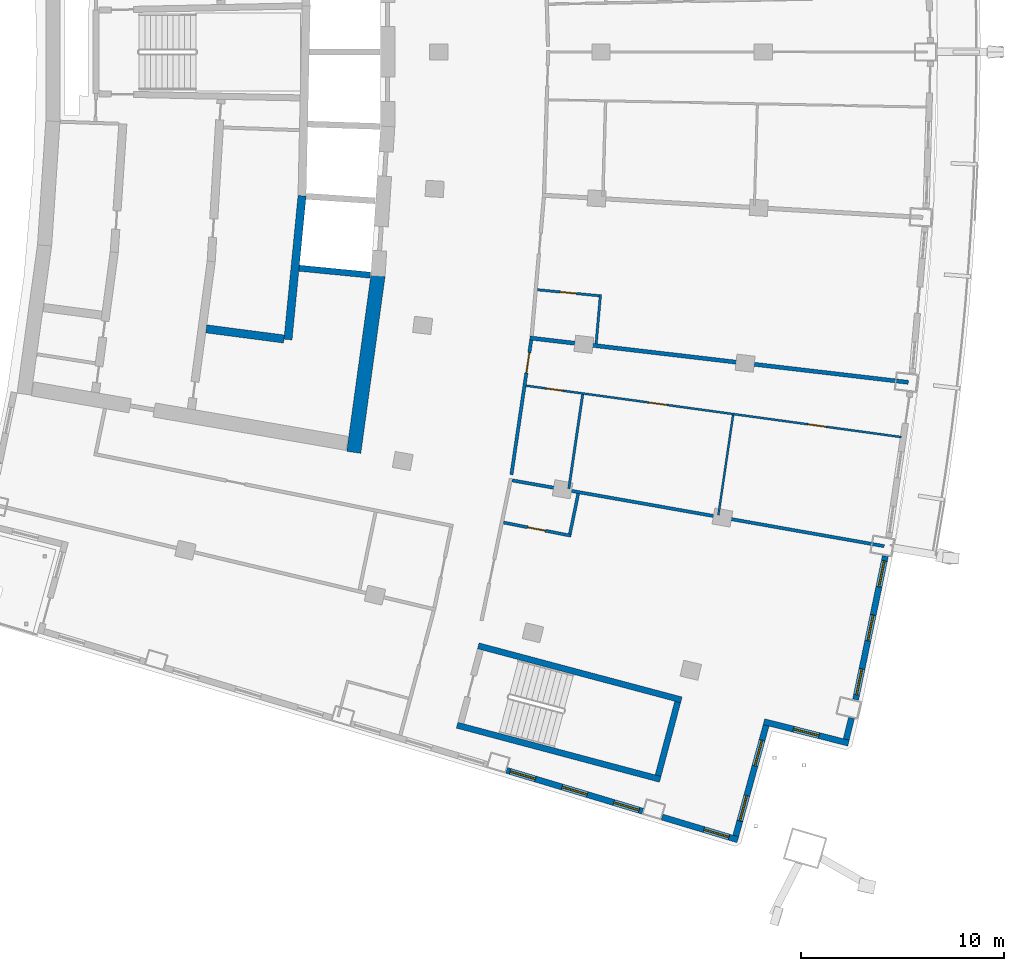
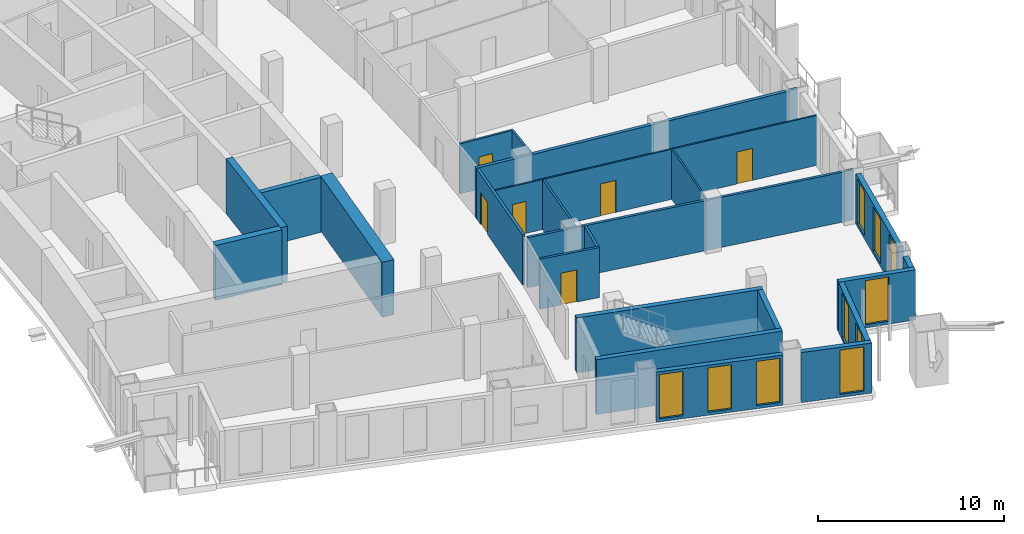
# One storey, part 12 of 22: 23 walls, 10 windows, 6 doors, 16 openings.
"""IFC4 building model written with IfcOpenShell, lengths in metres."""

from ifc_helpers import new_model, si_unit, direction, frame, frame_2d, origin, place, context, subcontext, project, spatial, rectangle, extrude, material, layer, layer_set, type_object, element, fill, save


model = new_model("IFC4")

# Units and contexts
model_context = context("Model", 3, precision=1e-05, world=origin(), true_north=direction((0.0, 1.0)))
body_context = subcontext(model_context, "Body", "Model", "MODEL_VIEW")
ifc_project = project(units=[si_unit("LENGTHUNIT", "METRE"), si_unit("AREAUNIT", "SQUARE_METRE"), si_unit("VOLUMEUNIT", "CUBIC_METRE"), si_unit("PLANEANGLEUNIT", "RADIAN"), si_unit("MASSUNIT", "GRAM", prefix="KILO")], contexts=[model_context])

# Site, building, storey
site_placement = place(None, origin())
site = spatial("IfcSite", under=ifc_project, at=site_placement, CompositionType="ELEMENT")
building_placement = place(site_placement, origin())
building = spatial("IfcBuilding", under=site, at=building_placement, Name="Alderwake Tower", CompositionType="ELEMENT")
storey_placement = place(building_placement, frame((0.0, 0.0, 156.800048828125)))
storey = spatial("IfcBuildingStorey", under=building, at=storey_placement, Name="L38", CompositionType="ELEMENT", Elevation=156.800048828125)

# Walls
ifc_material_1 = material(Name="Concrete C70/85", Category="concrete")
ifc_layer_1 = layer(ifc_material_1, 0.699951171875)
ifc_layer_set_1 = layer_set([ifc_layer_1], Name="Core wall outer 700 C70-85")
wall_type_1 = type_object("IfcWallType", Name="Core wall outer 700 C70-85", PredefinedType="SHEAR", material=ifc_layer_set_1)
wall_1_placement = place(storey_placement, frame((31.618896484375, 41.264892578125, 0.0), z_axis=(0.0, 0.0, 1.0), x_axis=(0.135835706655, 0.99073137671, 0.0)))
element("IfcWall", 1, at=wall_1_placement, inside=storey, type_object=wall_type_1, Name="Core wall CW.012", PredefinedType="SHEAR", context=body_context, shape_type="SweptSolid", body=[
    extrude(rectangle(XDim=8.790771484375, YDim=0.699951171875, at=frame_2d((4.3955078125, 0.0))), origin(), (0.0, 0.0, 1.0), 3.599853515625),
])
ifc_material_2 = material(Name="Concrete C70/85", Category="concrete")
ifc_layer_2 = layer(ifc_material_2, 0.300048828125)
ifc_layer_set_2 = layer_set([ifc_layer_2], Name="Core wall shaft 300 C70-85")
wall_type_2 = type_object("IfcWallType", Name="Core wall shaft 300 C70-85", PredefinedType="SHEAR", material=ifc_layer_set_2)
wall_2_placement = place(storey_placement, frame((28.922119140625, 50.341796875, 0.0), z_axis=(0.0, 0.0, 1.0), x_axis=(0.995247351008, -0.097379208823, 0.0)))
element("IfcWall", 2, at=wall_2_placement, inside=storey, type_object=wall_type_2, Name="Core wall CW.064", PredefinedType="SHEAR", context=body_context, shape_type="SweptSolid", body=[
    extrude(rectangle(XDim=3.527587890625, YDim=0.300048828125, at=frame_2d((1.763671875, 0.0))), origin(), (0.0, 0.0, 1.0), 3.599853515625),
])
ifc_material_3 = material(Name="Concrete C70/85", Category="concrete")
ifc_layer_3 = layer(ifc_material_3, 0.39990234375)
ifc_layer_set_3 = layer_set([ifc_layer_3], Name="Core wall spine 400 C70-85")
wall_type_3 = type_object("IfcWallType", Name="Core wall spine 400 C70-85", PredefinedType="SHEAR", material=ifc_layer_set_3)
wall_3_placement = place(storey_placement, frame((28.376953125, 46.8251953125, 0.0), z_axis=(0.0, 0.0, 1.0), x_axis=(0.097393469943, 0.995245955537, 0.0)))
element("IfcWall", 3, at=wall_3_placement, inside=storey, type_object=wall_type_3, Name="Core wall CW.005", PredefinedType="SHEAR", context=body_context, shape_type="SweptSolid", body=[
    extrude(rectangle(XDim=7.1142578125, YDim=0.39990234375, at=frame_2d((3.55712890625, 0.0))), origin(), (0.0, 0.0, 1.0), 3.599853515625),
])
wall_4_placement = place(storey_placement, frame((24.347900390625, 47.35205078125, 0.0), z_axis=(0.0, 0.0, 1.0), x_axis=(0.991555950624, -0.129679592778, 0.0)))
element("IfcWall", 4, at=wall_4_placement, inside=storey, type_object=wall_type_3, Name="Core wall CW.069", PredefinedType="SHEAR", context=body_context, shape_type="SweptSolid", body=[
    extrude(rectangle(XDim=3.86328125, YDim=0.39990234375, at=frame_2d((1.931640625, 0.0))), origin(), (0.0, 0.0, 1.0), 3.599853515625),
])
ifc_material_4 = material(Name="Concrete C70/85", Category="concrete")
ifc_layer_4 = layer(ifc_material_4, 0.300048828125)
ifc_layer_set_4 = layer_set([ifc_layer_4], Name="Core wall stair enclosure 300 C70-85")
wall_type_4 = type_object("IfcWallType", Name="Core wall stair enclosure 300 C70-85", PredefinedType="SHEAR", material=ifc_layer_set_4)
for number, where, z_axis, x_axis, name in (
    (5, (37.75390625, 31.731201171875, 0.0), (0.0, 0.0, 1.0), (0.966309214305, -0.257383958996, 0.0), "Core wall CW.086"),
    (6, (36.71142578125, 27.817626953125, 0.0), (0.0, 0.0, 1.0), (0.966309214305, -0.257383958996, 0.0), "Core wall CW.088"),
):
    element("IfcWall", number, at=place(storey_placement, frame(where, z_axis=z_axis, x_axis=x_axis)), inside=storey, type_object=wall_type_4, Name=name, PredefinedType="SHEAR", context=body_context, shape_type="SweptSolid", body=[
        extrude(rectangle(XDim=10.360107421875, YDim=0.300048828125, at=frame_2d((5.18017578125, 0.0))), origin(), (0.0, 0.0, 1.0), 3.599853515625),
    ])
wall_5_placement = place(storey_placement, frame((46.6162109375, 25.334716796875, 0.0), z_axis=(0.0, 0.0, 1.0), x_axis=(0.257366821694, 0.966313778796, 0.0)))
element("IfcWall", 7, at=wall_5_placement, inside=storey, type_object=wall_type_4, Name="Core wall CW.085", PredefinedType="SHEAR", context=body_context, shape_type="SweptSolid", body=[
    extrude(rectangle(XDim=3.749755859375, YDim=0.300048828125, at=frame_2d((1.875, 0.0))), origin(), (0.0, 0.0, 1.0), 3.599853515625),
])

# Wall, opening, door
ifc_material_5 = material(Name="Gypsum board on metal studs, rated")
ifc_layer_5 = layer(ifc_material_5, 0.159912109375)
ifc_layer_set_5 = layer_set([ifc_layer_5], Name="Corridor wall 160")
wall_type_5 = type_object("IfcWallType", Name="Corridor wall 160", PredefinedType="PARTITIONING", material=ifc_layer_set_5)
wall_6_placement = place(storey_placement, frame((40.3623046875, 46.7939453125, 0.0), z_axis=(0.0, 0.0, 1.0), x_axis=(-0.145513909196, -0.989356205939, 0.0)))
wall_6 = element("IfcWall", 8, at=wall_6_placement, inside=storey, type_object=wall_type_5, Name="WL/L38/W22", PredefinedType="PARTITIONING", context=body_context, shape_type="SweptSolid", body=[
    extrude(rectangle(XDim=6.704345703125, YDim=0.159912109375, at=frame_2d((3.35205078125, 0.0))), origin(), (0.0, 0.0, 1.0), 3.280029296875),
])
opening_1_placement = place(wall_6_placement, frame((0.628662109375, 0.0, 0.0)))
opening_1 = element("IfcOpeningElement", 9, at=opening_1_placement, cuts=wall_6, Name="Opening R10-U03.2", PredefinedType="OPENING", context=body_context, shape_type="SweptSolid", body=[
    extrude(rectangle(XDim=1.0, YDim=2.10009765625, at=frame_2d((0.5, 1.050048828125))), frame((0.0, 0.08984375, 0.0), z_axis=(0.0, -1.0, 0.0), x_axis=(1.0, 0.0, 0.0)), (0.0, 0.0, 1.0), 0.179931640625),
])
ifc_material_6 = material(Name="Solid timber leaf in steel frame", Category="steel")
door_type_1 = type_object("IfcDoorType", Name="Flat entrance door 1000 fire-rated", OperationType="SINGLE_SWING_LEFT", PredefinedType="DOOR", material=ifc_material_6)
door_1_placement = place(opening_1_placement, origin())
door_1 = element("IfcDoor", 10, at=door_1_placement, inside=storey, type_object=door_type_1, Name="DR/L38/U03.2", OperationType="SINGLE_SWING_LEFT", OverallHeight=2.10009765625, OverallWidth=1.0, PredefinedType="DOOR", context=body_context, shape_type="SweptSolid", body=[
    extrude(rectangle(XDim=1.0, YDim=2.10009765625, at=frame_2d((0.5, 1.050048828125))), frame((0.0, 0.02490234375, 0.0), z_axis=(0.0, -1.0, 0.0), x_axis=(1.0, 0.0, 0.0)), (0.0, 0.0, 1.0), 0.050048828125),
])
fill(opening_1, door_1)

# Walls
wall_7_placement = place(storey_placement, frame((57.761962890625, 36.64208984375, 0.0), z_axis=(0.0, 0.0, 1.0), x_axis=(-0.984734415002, 0.174063585826, 0.0)))
element("IfcWall", 11, at=wall_7_placement, inside=storey, type_object=wall_type_5, Name="WL/L38/W29", PredefinedType="PARTITIONING", context=body_context, shape_type="SweptSolid", body=[
    extrude(rectangle(XDim=18.619384765625, YDim=0.159912109375, at=frame_2d((9.3095703125, 0.0))), origin(), (0.0, 0.0, 1.0), 3.280029296875),
])
ifc_material_7 = material(Name="Precast concrete C50/60 spandrel panel", Category="concrete")
ifc_layer_6 = layer(ifc_material_7, 0.300048828125)
ifc_layer_set_6 = layer_set([ifc_layer_6], Name="External wall EW1 Precast concrete C50/60 spandrel")
wall_type_6 = type_object("IfcWallType", Name="External wall EW1 Precast concrete C50/60 spandrel", PredefinedType="SOLIDWALL", material=ifc_layer_set_6)
wall_8_placement = place(storey_placement, frame((55.88720703125, 27.119384765625, 0.0), z_axis=(0.0, 0.0, 1.0), x_axis=(0.238145557197, 0.971229475246, 0.0)))
element("IfcWall", 12, at=wall_8_placement, inside=storey, type_object=wall_type_6, Name="External wall 11", PredefinedType="SOLIDWALL", context=body_context, shape_type="SweptSolid", body=[
    extrude(rectangle(XDim=1.086669921875, YDim=0.300048828125, at=frame_2d((0.54345703125, 0.0))), origin(), (0.0, 0.0, 1.0), 3.280029296875),
])

# Wall, openings, windows
wall_9_placement = place(storey_placement, frame((56.3505859375, 29.080810546875, 0.0), z_axis=(0.0, 0.0, 1.0), x_axis=(0.202762098715, 0.979228028257, 0.0)))
wall_9 = element("IfcWall", 13, at=wall_9_placement, inside=storey, type_object=wall_type_6, Name="External wall 12", PredefinedType="SOLIDWALL", context=body_context, shape_type="SweptSolid", body=[
    extrude(rectangle(XDim=7.221923828125, YDim=0.300048828125, at=frame_2d((3.61083984375, 0.0))), origin(), (0.0, 0.0, 1.0), 3.280029296875),
])
opening_2_placement = place(wall_9_placement, frame((0.2431640625, 0.0, 0.199951171875)))
opening_2 = element("IfcOpeningElement", 14, at=opening_2_placement, cuts=wall_9, Name="Opening W1", PredefinedType="OPENING", context=body_context, shape_type="SweptSolid", body=[
    extrude(rectangle(XDim=1.300048828125, YDim=2.89990234375, at=frame_2d((0.64990234375, 1.449951171875))), frame((0.0, 0.159912109375, 0.0), z_axis=(0.0, -1.0, 0.0), x_axis=(1.0, 0.0, 0.0)), (0.0, 0.0, 1.0), 0.320068359375),
])
opening_3_placement = place(wall_9_placement, frame((2.961181640625, 0.0, 0.199951171875)))
opening_3 = element("IfcOpeningElement", 15, at=opening_3_placement, cuts=wall_9, Name="Opening W1", PredefinedType="OPENING", context=body_context, shape_type="SweptSolid", body=[
    extrude(rectangle(XDim=1.300048828125, YDim=2.89990234375, at=frame_2d((0.64990234375, 1.449951171875))), frame((0.0, 0.159912109375, 0.0), z_axis=(0.0, -1.0, 0.0), x_axis=(1.0, 0.0, 0.0)), (0.0, 0.0, 1.0), 0.320068359375),
])
opening_4_placement = place(wall_9_placement, frame((5.678955078125, 0.0, 0.199951171875)))
opening_4 = element("IfcOpeningElement", 16, at=opening_4_placement, cuts=wall_9, Name="Opening W1", PredefinedType="OPENING", context=body_context, shape_type="SweptSolid", body=[
    extrude(rectangle(XDim=1.300048828125, YDim=2.89990234375, at=frame_2d((0.64990234375, 1.449951171875))), frame((0.0, 0.159912109375, 0.0), z_axis=(0.0, -1.0, 0.0), x_axis=(1.0, 0.0, 0.0)), (0.0, 0.0, 1.0), 0.320068359375),
])
ifc_material_8 = material(Name="Bronze tinted glass in aluminium frame", Category="aluminium")
window_type = type_object("IfcWindowType", Name="Window W1 tall fixed and vent", PartitioningType="DOUBLE_PANEL_VERTICAL", PredefinedType="WINDOW", material=ifc_material_8)
window_1_placement = place(opening_2_placement, origin())
window_1 = element("IfcWindow", 17, at=window_1_placement, inside=storey, type_object=window_type, Name="Window W1 tall fixed and vent", OverallHeight=2.89990234375, OverallWidth=1.300048828125, PartitioningType="DOUBLE_PANEL_VERTICAL", PredefinedType="WINDOW", context=body_context, shape_type="SweptSolid", body=[
    extrude(rectangle(XDim=1.300048828125, YDim=2.89990234375, at=frame_2d((0.64990234375, 1.449951171875))), frame((0.0, 0.030029296875, 0.0), z_axis=(0.0, -1.0, 0.0), x_axis=(1.0, 0.0, 0.0)), (0.0, 0.0, 1.0), 0.06005859375),
])
fill(opening_2, window_1)
window_2_placement = place(opening_3_placement, origin())
window_2 = element("IfcWindow", 18, at=window_2_placement, inside=storey, type_object=window_type, Name="Window W1 tall fixed and vent", OverallHeight=2.89990234375, OverallWidth=1.300048828125, PartitioningType="DOUBLE_PANEL_VERTICAL", PredefinedType="WINDOW", context=body_context, shape_type="SweptSolid", body=[
    extrude(rectangle(XDim=1.300048828125, YDim=2.89990234375, at=frame_2d((0.64990234375, 1.449951171875))), frame((0.0, 0.030029296875, 0.0), z_axis=(0.0, -1.0, 0.0), x_axis=(1.0, 0.0, 0.0)), (0.0, 0.0, 1.0), 0.06005859375),
])
fill(opening_3, window_2)
window_3_placement = place(opening_4_placement, origin())
window_3 = element("IfcWindow", 19, at=window_3_placement, inside=storey, type_object=window_type, Name="Window W1 tall fixed and vent", OverallHeight=2.89990234375, OverallWidth=1.300048828125, PartitioningType="DOUBLE_PANEL_VERTICAL", PredefinedType="WINDOW", context=body_context, shape_type="SweptSolid", body=[
    extrude(rectangle(XDim=1.300048828125, YDim=2.89990234375, at=frame_2d((0.64990234375, 1.449951171875))), frame((0.0, 0.030029296875, 0.0), z_axis=(0.0, -1.0, 0.0), x_axis=(1.0, 0.0, 0.0)), (0.0, 0.0, 1.0), 0.06005859375),
])
fill(opening_4, window_3)

ifc_material_9 = material(Name="Bronze metal cladding on lightweight framing")
ifc_layer_7 = layer(ifc_material_9, 0.300048828125)
ifc_layer_set_7 = layer_set([ifc_layer_7], Name="External wall EW2 bronze metal cladding")
wall_type_7 = type_object("IfcWallType", Name="External wall EW2 bronze metal cladding", PredefinedType="SOLIDWALL", material=ifc_layer_set_7)
wall_10_placement = place(storey_placement, frame((39.151611328125, 25.5927734375, 0.0), z_axis=(0.0, 0.0, 1.0), x_axis=(0.957766716661, -0.287546372706, 0.0)))
wall_10 = element("IfcWall", 20, at=wall_10_placement, inside=storey, type_object=wall_type_7, Name="External wall 7", PredefinedType="SOLIDWALL", context=body_context, shape_type="SweptSolid", body=[
    extrude(rectangle(XDim=6.99609375, YDim=0.300048828125, at=frame_2d((3.498046875, 0.0))), origin(), (0.0, 0.0, 1.0), 3.280029296875),
])
opening_5_placement = place(wall_10_placement, frame((0.181396484375, 0.0, 0.199951171875)))
opening_5 = element("IfcOpeningElement", 21, at=opening_5_placement, cuts=wall_10, Name="Opening W1", PredefinedType="OPENING", context=body_context, shape_type="SweptSolid", body=[
    extrude(rectangle(XDim=1.300048828125, YDim=2.89990234375, at=frame_2d((0.64990234375, 1.449951171875))), frame((0.0, 0.159912109375, 0.0), z_axis=(0.0, -1.0, 0.0), x_axis=(1.0, 0.0, 0.0)), (0.0, 0.0, 1.0), 0.320068359375),
])
opening_6_placement = place(wall_10_placement, frame((2.84814453125, 0.0, 0.199951171875)))
opening_6 = element("IfcOpeningElement", 22, at=opening_6_placement, cuts=wall_10, Name="Opening W1", PredefinedType="OPENING", context=body_context, shape_type="SweptSolid", body=[
    extrude(rectangle(XDim=1.300048828125, YDim=2.89990234375, at=frame_2d((0.64990234375, 1.449951171875))), frame((0.0, 0.159912109375, 0.0), z_axis=(0.0, -1.0, 0.0), x_axis=(1.0, 0.0, 0.0)), (0.0, 0.0, 1.0), 0.320068359375),
])
opening_7_placement = place(wall_10_placement, frame((5.514892578125, 0.0, 0.199951171875)))
opening_7 = element("IfcOpeningElement", 23, at=opening_7_placement, cuts=wall_10, Name="Opening W1", PredefinedType="OPENING", context=body_context, shape_type="SweptSolid", body=[
    extrude(rectangle(XDim=1.300048828125, YDim=2.89990234375, at=frame_2d((0.64990234375, 1.449951171875))), frame((0.0, 0.159912109375, 0.0), z_axis=(0.0, -1.0, 0.0), x_axis=(1.0, 0.0, 0.0)), (0.0, 0.0, 1.0), 0.320068359375),
])
window_4_placement = place(opening_5_placement, origin())
window_4 = element("IfcWindow", 24, at=window_4_placement, inside=storey, type_object=window_type, Name="Window W1 tall fixed and vent", OverallHeight=2.89990234375, OverallWidth=1.300048828125, PartitioningType="DOUBLE_PANEL_VERTICAL", PredefinedType="WINDOW", context=body_context, shape_type="SweptSolid", body=[
    extrude(rectangle(XDim=1.300048828125, YDim=2.89990234375, at=frame_2d((0.64990234375, 1.449951171875))), frame((0.0, 0.030029296875, 0.0), z_axis=(0.0, -1.0, 0.0), x_axis=(1.0, 0.0, 0.0)), (0.0, 0.0, 1.0), 0.06005859375),
])
fill(opening_5, window_4)
window_5_placement = place(opening_6_placement, origin())
window_5 = element("IfcWindow", 25, at=window_5_placement, inside=storey, type_object=window_type, Name="Window W1 tall fixed and vent", OverallHeight=2.89990234375, OverallWidth=1.300048828125, PartitioningType="DOUBLE_PANEL_VERTICAL", PredefinedType="WINDOW", context=body_context, shape_type="SweptSolid", body=[
    extrude(rectangle(XDim=1.300048828125, YDim=2.89990234375, at=frame_2d((0.64990234375, 1.449951171875))), frame((0.0, 0.030029296875, 0.0), z_axis=(0.0, -1.0, 0.0), x_axis=(1.0, 0.0, 0.0)), (0.0, 0.0, 1.0), 0.06005859375),
])
fill(opening_6, window_5)
window_6_placement = place(opening_7_placement, origin())
window_6 = element("IfcWindow", 26, at=window_6_placement, inside=storey, type_object=window_type, Name="Window W1 tall fixed and vent", OverallHeight=2.89990234375, OverallWidth=1.300048828125, PartitioningType="DOUBLE_PANEL_VERTICAL", PredefinedType="WINDOW", context=body_context, shape_type="SweptSolid", body=[
    extrude(rectangle(XDim=1.300048828125, YDim=2.89990234375, at=frame_2d((0.64990234375, 1.449951171875))), frame((0.0, 0.030029296875, 0.0), z_axis=(0.0, -1.0, 0.0), x_axis=(1.0, 0.0, 0.0)), (0.0, 0.0, 1.0), 0.06005859375),
])
fill(opening_7, window_6)

# Wall, opening, window
wall_11_placement = place(storey_placement, frame((46.8134765625, 23.29248046875, 0.0), z_axis=(0.0, 0.0, 1.0), x_axis=(0.957765903046, -0.287549082701, 0.0)))
wall_11 = element("IfcWall", 27, at=wall_11_placement, inside=storey, type_object=wall_type_7, Name="External wall 8", PredefinedType="SOLIDWALL", context=body_context, shape_type="SweptSolid", body=[
    extrude(rectangle(XDim=3.896240234375, YDim=0.300048828125, at=frame_2d((1.9482421875, 0.0))), origin(), (0.0, 0.0, 1.0), 3.280029296875),
])
opening_8_placement = place(wall_11_placement, frame((2.146484375, 0.0, 0.199951171875)))
opening_8 = element("IfcOpeningElement", 28, at=opening_8_placement, cuts=wall_11, Name="Opening W1", PredefinedType="OPENING", context=body_context, shape_type="SweptSolid", body=[
    extrude(rectangle(XDim=1.300048828125, YDim=2.89990234375, at=frame_2d((0.64990234375, 1.449951171875))), frame((0.0, 0.159912109375, 0.0), z_axis=(0.0, -1.0, 0.0), x_axis=(1.0, 0.0, 0.0)), (0.0, 0.0, 1.0), 0.320068359375),
])
window_7_placement = place(opening_8_placement, origin())
window_7 = element("IfcWindow", 29, at=window_7_placement, inside=storey, type_object=window_type, Name="Window W1 tall fixed and vent", OverallHeight=2.89990234375, OverallWidth=1.300048828125, PartitioningType="DOUBLE_PANEL_VERTICAL", PredefinedType="WINDOW", context=body_context, shape_type="SweptSolid", body=[
    extrude(rectangle(XDim=1.300048828125, YDim=2.89990234375, at=frame_2d((0.64990234375, 1.449951171875))), frame((0.0, 0.030029296875, 0.0), z_axis=(0.0, -1.0, 0.0), x_axis=(1.0, 0.0, 0.0)), (0.0, 0.0, 1.0), 0.06005859375),
])
fill(opening_8, window_7)

# Wall, openings, windows
wall_12_placement = place(storey_placement, frame((50.441162109375, 22.35986328125, 0.0), z_axis=(0.0, 0.0, 1.0), x_axis=(0.265145438935, 0.964208429859, 0.0)))
wall_12 = element("IfcWall", 30, at=wall_12_placement, inside=storey, type_object=wall_type_7, Name="External wall 9", PredefinedType="SOLIDWALL", context=body_context, shape_type="SweptSolid", body=[
    extrude(rectangle(XDim=5.65185546875, YDim=0.300048828125, at=frame_2d((2.825927734375, 0.0))), origin(), (0.0, 0.0, 1.0), 3.280029296875),
])
opening_9_placement = place(wall_12_placement, frame((0.762939453125, 0.0, 0.199951171875)))
opening_9 = element("IfcOpeningElement", 31, at=opening_9_placement, cuts=wall_12, Name="Opening W1", PredefinedType="OPENING", context=body_context, shape_type="SweptSolid", body=[
    extrude(rectangle(XDim=1.300048828125, YDim=2.89990234375, at=frame_2d((0.64990234375, 1.449951171875))), frame((0.0, 0.159912109375, 0.0), z_axis=(0.0, -1.0, 0.0), x_axis=(1.0, 0.0, 0.0)), (0.0, 0.0, 1.0), 0.320068359375),
])
opening_10_placement = place(wall_12_placement, frame((3.5888671875, 0.0, 0.199951171875)))
opening_10 = element("IfcOpeningElement", 32, at=opening_10_placement, cuts=wall_12, Name="Opening W1", PredefinedType="OPENING", context=body_context, shape_type="SweptSolid", body=[
    extrude(rectangle(XDim=1.300048828125, YDim=2.89990234375, at=frame_2d((0.64990234375, 1.449951171875))), frame((0.0, 0.159912109375, 0.0), z_axis=(0.0, -1.0, 0.0), x_axis=(1.0, 0.0, 0.0)), (0.0, 0.0, 1.0), 0.320068359375),
])
window_8_placement = place(opening_9_placement, origin())
window_8 = element("IfcWindow", 33, at=window_8_placement, inside=storey, type_object=window_type, Name="Window W1 tall fixed and vent", OverallHeight=2.89990234375, OverallWidth=1.300048828125, PartitioningType="DOUBLE_PANEL_VERTICAL", PredefinedType="WINDOW", context=body_context, shape_type="SweptSolid", body=[
    extrude(rectangle(XDim=1.300048828125, YDim=2.89990234375, at=frame_2d((0.64990234375, 1.449951171875))), frame((0.0, 0.030029296875, 0.0), z_axis=(0.0, -1.0, 0.0), x_axis=(1.0, 0.0, 0.0)), (0.0, 0.0, 1.0), 0.06005859375),
])
fill(opening_9, window_8)
window_9_placement = place(opening_10_placement, origin())
window_9 = element("IfcWindow", 34, at=window_9_placement, inside=storey, type_object=window_type, Name="Window W1 tall fixed and vent", OverallHeight=2.89990234375, OverallWidth=1.300048828125, PartitioningType="DOUBLE_PANEL_VERTICAL", PredefinedType="WINDOW", context=body_context, shape_type="SweptSolid", body=[
    extrude(rectangle(XDim=1.300048828125, YDim=2.89990234375, at=frame_2d((0.64990234375, 1.449951171875))), frame((0.0, 0.030029296875, 0.0), z_axis=(0.0, -1.0, 0.0), x_axis=(1.0, 0.0, 0.0)), (0.0, 0.0, 1.0), 0.06005859375),
])
fill(opening_10, window_9)

# Wall, opening, window
wall_13_placement = place(storey_placement, frame((51.833984375, 27.99072265625, 0.0), z_axis=(0.0, 0.0, 1.0), x_axis=(0.969425962264, -0.245383992325, 0.0)))
wall_13 = element("IfcWall", 35, at=wall_13_placement, inside=storey, type_object=wall_type_7, Name="External wall 10", PredefinedType="SOLIDWALL", context=body_context, shape_type="SweptSolid", body=[
    extrude(rectangle(XDim=4.294189453125, YDim=0.300048828125, at=frame_2d((2.14697265625, 0.0))), origin(), (0.0, 0.0, 1.0), 3.280029296875),
])
opening_11_placement = place(wall_13_placement, frame((1.4970703125, 0.0, 0.199951171875)))
opening_11 = element("IfcOpeningElement", 36, at=opening_11_placement, cuts=wall_13, Name="Opening W1", PredefinedType="OPENING", context=body_context, shape_type="SweptSolid", body=[
    extrude(rectangle(XDim=1.300048828125, YDim=2.89990234375, at=frame_2d((0.64990234375, 1.449951171875))), frame((0.0, 0.159912109375, 0.0), z_axis=(0.0, -1.0, 0.0), x_axis=(1.0, 0.0, 0.0)), (0.0, 0.0, 1.0), 0.320068359375),
])
window_10_placement = place(opening_11_placement, origin())
window_10 = element("IfcWindow", 37, at=window_10_placement, inside=storey, type_object=window_type, Name="Window W1 tall fixed and vent", OverallHeight=2.89990234375, OverallWidth=1.300048828125, PartitioningType="DOUBLE_PANEL_VERTICAL", PredefinedType="WINDOW", context=body_context, shape_type="SweptSolid", body=[
    extrude(rectangle(XDim=1.300048828125, YDim=2.89990234375, at=frame_2d((0.64990234375, 1.449951171875))), frame((0.0, 0.030029296875, 0.0), z_axis=(0.0, -1.0, 0.0), x_axis=(1.0, 0.0, 0.0)), (0.0, 0.0, 1.0), 0.06005859375),
])
fill(opening_11, window_10)

# Wall
ifc_material_10 = material(Name="Dense block masonry wall", Category="masonry")
ifc_layer_8 = layer(ifc_material_10, 0.199951171875)
ifc_layer_set_8 = layer_set([ifc_layer_8], Name="Party wall 200")
wall_type_8 = type_object("IfcWallType", Name="Party wall 200", PredefinedType="SOLIDWALL", material=ifc_layer_set_8)
wall_14_placement = place(storey_placement, frame((58.949951171875, 44.715087890625, 0.0), z_axis=(0.0, 0.0, 1.0), x_axis=(-0.993194635726, 0.116466370962, 0.0)))
element("IfcWall", 38, at=wall_14_placement, inside=storey, type_object=wall_type_8, Name="WL/L38/W03", PredefinedType="SOLIDWALL", context=body_context, shape_type="SweptSolid", body=[
    extrude(rectangle(XDim=18.780029296875, YDim=0.199951171875, at=frame_2d((9.39013671875, 0.0))), origin(), (0.0, 0.0, 1.0), 3.280029296875),
])

# Wall, opening, door
ifc_material_11 = material(Name="Gypsum shaft wall system, rated")
ifc_layer_9 = layer(ifc_material_11, 0.14990234375)
ifc_layer_set_9 = layer_set([ifc_layer_9], Name="Riser and shaft wall 150")
wall_type_9 = type_object("IfcWallType", Name="Riser and shaft wall 150", PredefinedType="PARTITIONING", material=ifc_layer_set_9)
wall_15_placement = place(storey_placement, frame((38.99755859375, 37.8056640625, 0.0), z_axis=(0.0, 0.0, 1.0), x_axis=(0.981480367208, -0.191562754169, 0.0)))
wall_15 = element("IfcWall", 39, at=wall_15_placement, inside=storey, type_object=wall_type_9, Name="WL/L38/W09", PredefinedType="PARTITIONING", context=body_context, shape_type="SweptSolid", body=[
    extrude(rectangle(XDim=3.393798828125, YDim=0.14990234375, at=frame_2d((1.69677734375, 0.0))), origin(), (0.0, 0.0, 1.0), 3.280029296875),
])
opening_12_placement = place(wall_15_placement, frame((1.209228515625, 0.0, 0.0)))
opening_12 = element("IfcOpeningElement", 40, at=opening_12_placement, cuts=wall_15, Name="Opening R10-AM1.2", PredefinedType="OPENING", context=body_context, shape_type="SweptSolid", body=[
    extrude(rectangle(XDim=0.89990234375, YDim=2.10009765625, at=frame_2d((0.449951171875, 1.050048828125))), frame((0.0, 0.0849609375, 0.0), z_axis=(0.0, -1.0, 0.0), x_axis=(1.0, 0.0, 0.0)), (0.0, 0.0, 1.0), 0.169921875),
])
ifc_material_12 = material(Name="Painted timber leaf", Category="wood")
door_type_2 = type_object("IfcDoorType", Name="Room door 900", OperationType="SINGLE_SWING_LEFT", PredefinedType="DOOR", material=ifc_material_12)
door_2_placement = place(opening_12_placement, origin())
door_2 = element("IfcDoor", 41, at=door_2_placement, inside=storey, type_object=door_type_2, Name="DR/L38/AM1.2", OperationType="SINGLE_SWING_LEFT", OverallHeight=2.10009765625, OverallWidth=0.89990234375, PredefinedType="DOOR", context=body_context, shape_type="SweptSolid", body=[
    extrude(rectangle(XDim=0.89990234375, YDim=2.10009765625, at=frame_2d((0.449951171875, 1.050048828125))), frame((0.0, 0.02490234375, 0.0), z_axis=(0.0, -1.0, 0.0), x_axis=(1.0, 0.0, 0.0)), (0.0, 0.0, 1.0), 0.050048828125),
])
fill(opening_12, door_2)

# Wall
wall_16_placement = place(storey_placement, frame((42.270263671875, 37.243408203125, 0.0), z_axis=(0.0, 0.0, 1.0), x_axis=(0.202091528728, 0.97936663922, 0.0)))
element("IfcWall", 42, at=wall_16_placement, inside=storey, type_object=wall_type_9, Name="WL/L38/W10", PredefinedType="PARTITIONING", context=body_context, shape_type="SweptSolid", body=[
    extrude(rectangle(XDim=2.02587890625, YDim=0.14990234375, at=frame_2d((1.012939453125, 0.0))), origin(), (0.0, 0.0, 1.0), 3.280029296875),
])

# Wall, openings, doors
ifc_material_13 = material(Name="Gypsum board on metal studs")
ifc_layer_10 = layer(ifc_material_13, 0.10009765625)
ifc_layer_set_10 = layer_set([ifc_layer_10], Name="Unit partition 100")
wall_type_10 = type_object("IfcWallType", Name="Unit partition 100", PredefinedType="PARTITIONING", material=ifc_layer_set_10)
wall_17_placement = place(storey_placement, frame((58.60205078125, 42.01806640625, 0.0), z_axis=(0.0, 0.0, 1.0), x_axis=(-0.99074462385, 0.135739052273, 0.0)))
wall_17 = element("IfcWall", 43, at=wall_17_placement, inside=storey, type_object=wall_type_10, Name="WL/L38/W45", PredefinedType="PARTITIONING", context=body_context, shape_type="SweptSolid", body=[
    extrude(rectangle(XDim=18.660400390625, YDim=0.10009765625, at=frame_2d((9.330078125, 0.0))), origin(), (0.0, 0.0, 1.0), 3.280029296875),
])
opening_13_placement = place(wall_17_placement, frame((11.651611328125, 0.0, 0.0)))
opening_13 = element("IfcOpeningElement", 44, at=opening_13_placement, cuts=wall_17, Name="Opening R10-U03.1", PredefinedType="OPENING", context=body_context, shape_type="SweptSolid", body=[
    extrude(rectangle(XDim=0.89990234375, YDim=2.10009765625, at=frame_2d((0.449951171875, 1.050048828125))), frame((0.0, 0.06005859375, 0.0), z_axis=(0.0, -1.0, 0.0), x_axis=(1.0, 0.0, 0.0)), (0.0, 0.0, 1.0), 0.1201171875),
])
opening_14_placement = place(wall_17_placement, frame((16.8515625, 0.0, 0.0)))
opening_14 = element("IfcOpeningElement", 45, at=opening_14_placement, cuts=wall_17, Name="Opening R10-U03.3", PredefinedType="OPENING", context=body_context, shape_type="SweptSolid", body=[
    extrude(rectangle(XDim=0.800048828125, YDim=2.10009765625, at=frame_2d((0.39990234375, 1.050048828125))), frame((0.0, 0.06005859375, 0.0), z_axis=(0.0, -1.0, 0.0), x_axis=(1.0, 0.0, 0.0)), (0.0, 0.0, 1.0), 0.1201171875),
])
opening_15_placement = place(wall_17_placement, frame((3.73046875, 0.0, 0.0)))
opening_15 = element("IfcOpeningElement", 46, at=opening_15_placement, cuts=wall_17, Name="Opening R10-U03.4", PredefinedType="OPENING", context=body_context, shape_type="SweptSolid", body=[
    extrude(rectangle(XDim=0.89990234375, YDim=2.10009765625, at=frame_2d((0.449951171875, 1.050048828125))), frame((0.0, 0.06005859375, 0.0), z_axis=(0.0, -1.0, 0.0), x_axis=(1.0, 0.0, 0.0)), (0.0, 0.0, 1.0), 0.1201171875),
])
ifc_material_14 = material(Name="Painted timber leaf", Category="wood")
door_type_3 = type_object("IfcDoorType", Name="Bathroom door 800", OperationType="SINGLE_SWING_LEFT", PredefinedType="DOOR", material=ifc_material_14)
door_3_placement = place(opening_14_placement, origin())
door_3 = element("IfcDoor", 47, at=door_3_placement, inside=storey, type_object=door_type_3, Name="DR/L38/U03.3", OperationType="SINGLE_SWING_LEFT", OverallHeight=2.10009765625, OverallWidth=0.800048828125, PredefinedType="DOOR", context=body_context, shape_type="SweptSolid", body=[
    extrude(rectangle(XDim=0.800048828125, YDim=2.10009765625, at=frame_2d((0.39990234375, 1.050048828125))), frame((0.0, 0.02490234375, 0.0), z_axis=(0.0, -1.0, 0.0), x_axis=(1.0, 0.0, 0.0)), (0.0, 0.0, 1.0), 0.050048828125),
])
fill(opening_14, door_3)
door_4_placement = place(opening_13_placement, origin())
door_4 = element("IfcDoor", 48, at=door_4_placement, inside=storey, type_object=door_type_2, Name="DR/L38/U03.1", OperationType="SINGLE_SWING_LEFT", OverallHeight=2.10009765625, OverallWidth=0.89990234375, PredefinedType="DOOR", context=body_context, shape_type="SweptSolid", body=[
    extrude(rectangle(XDim=0.89990234375, YDim=2.10009765625, at=frame_2d((0.449951171875, 1.050048828125))), frame((0.0, 0.02490234375, 0.0), z_axis=(0.0, -1.0, 0.0), x_axis=(1.0, 0.0, 0.0)), (0.0, 0.0, 1.0), 0.050048828125),
])
fill(opening_13, door_4)
door_5_placement = place(opening_15_placement, origin())
door_5 = element("IfcDoor", 49, at=door_5_placement, inside=storey, type_object=door_type_2, Name="DR/L38/U03.4", OperationType="SINGLE_SWING_LEFT", OverallHeight=2.10009765625, OverallWidth=0.89990234375, PredefinedType="DOOR", context=body_context, shape_type="SweptSolid", body=[
    extrude(rectangle(XDim=0.89990234375, YDim=2.10009765625, at=frame_2d((0.449951171875, 1.050048828125))), frame((0.0, 0.02490234375, 0.0), z_axis=(0.0, -1.0, 0.0), x_axis=(1.0, 0.0, 0.0)), (0.0, 0.0, 1.0), 0.050048828125),
])
fill(opening_15, door_5)

# Walls
wall_18_placement = place(storey_placement, frame((49.586669921875, 38.170166015625, 0.0), z_axis=(0.0, 0.0, 1.0), x_axis=(0.145444645859, 0.989366390672, 0.0)))
element("IfcWall", 50, at=wall_18_placement, inside=storey, type_object=wall_type_10, Name="WL/L38/W49", PredefinedType="PARTITIONING", context=body_context, shape_type="SweptSolid", body=[
    extrude(rectangle(XDim=4.9853515625, YDim=0.10009765625, at=frame_2d((2.49267578125, 0.0))), origin(), (0.0, 0.0, 1.0), 3.280029296875),
])
ifc_material_15 = material(Name="Moisture resistant gypsum board on metal studs")
ifc_layer_11 = layer(ifc_material_15, 0.1201171875)
ifc_layer_set_11 = layer_set([ifc_layer_11], Name="Wet room partition 120")
wall_type_11 = type_object("IfcWallType", Name="Wet room partition 120", PredefinedType="PARTITIONING", material=ifc_layer_set_11)
wall_19_placement = place(storey_placement, frame((42.215576171875, 39.47216796875, 0.0), z_axis=(0.0, 0.0, 1.0), x_axis=(0.145519444166, 0.989355391843, 0.0)))
element("IfcWall", 51, at=wall_19_placement, inside=storey, type_object=wall_type_11, Name="WL/L38/W36", PredefinedType="PARTITIONING", context=body_context, shape_type="SweptSolid", body=[
    extrude(rectangle(XDim=4.6943359375, YDim=0.1201171875, at=frame_2d((2.34716796875, 0.0))), origin(), (0.0, 0.0, 1.0), 3.280029296875),
])
wall_20_placement = place(storey_placement, frame((43.562744140625, 46.62060546875, 0.0), z_axis=(0.0, 0.0, 1.0), x_axis=(0.087632476873, 0.99615287431, 0.0)))
element("IfcWall", 52, at=wall_20_placement, inside=storey, type_object=wall_type_11, Name="WL/L38/W38", PredefinedType="PARTITIONING", context=body_context, shape_type="SweptSolid", body=[
    extrude(rectangle(XDim=2.426513671875, YDim=0.1201171875, at=frame_2d((1.21337890625, 0.0))), origin(), (0.0, 0.0, 1.0), 3.280029296875),
])

# Wall, opening, door
wall_21_placement = place(storey_placement, frame((43.710205078125, 48.98388671875, 0.0), z_axis=(0.0, 0.0, 1.0), x_axis=(-0.995323060709, 0.096602302355, 0.0)))
wall_21 = element("IfcWall", 53, at=wall_21_placement, inside=storey, type_object=wall_type_11, Name="WL/L38/W39", PredefinedType="PARTITIONING", context=body_context, shape_type="SweptSolid", body=[
    extrude(rectangle(XDim=3.05810546875, YDim=0.1201171875, at=frame_2d((1.529052734375, 0.0))), origin(), (0.0, 0.0, 1.0), 3.280029296875),
])
opening_16_placement = place(wall_21_placement, frame((1.12890625, 0.0, 0.0)))
opening_16 = element("IfcOpeningElement", 54, at=opening_16_placement, cuts=wall_21, Name="Opening R10-U04.2", PredefinedType="OPENING", context=body_context, shape_type="SweptSolid", body=[
    extrude(rectangle(XDim=0.800048828125, YDim=2.10009765625, at=frame_2d((0.39990234375, 1.050048828125))), frame((0.0, 0.070068359375, 0.0), z_axis=(0.0, -1.0, 0.0), x_axis=(1.0, 0.0, 0.0)), (0.0, 0.0, 1.0), 0.14013671875),
])
door_6_placement = place(opening_16_placement, origin())
door_6 = element("IfcDoor", 55, at=door_6_placement, inside=storey, type_object=door_type_3, Name="DR/L38/U04.2", OperationType="SINGLE_SWING_LEFT", OverallHeight=2.10009765625, OverallWidth=0.800048828125, PredefinedType="DOOR", context=body_context, shape_type="SweptSolid", body=[
    extrude(rectangle(XDim=0.800048828125, YDim=2.10009765625, at=frame_2d((0.39990234375, 1.050048828125))), frame((0.0, 0.02490234375, 0.0), z_axis=(0.0, -1.0, 0.0), x_axis=(1.0, 0.0, 0.0)), (0.0, 0.0, 1.0), 0.050048828125),
])
fill(opening_16, door_6)

save(model, "model.ifc")
